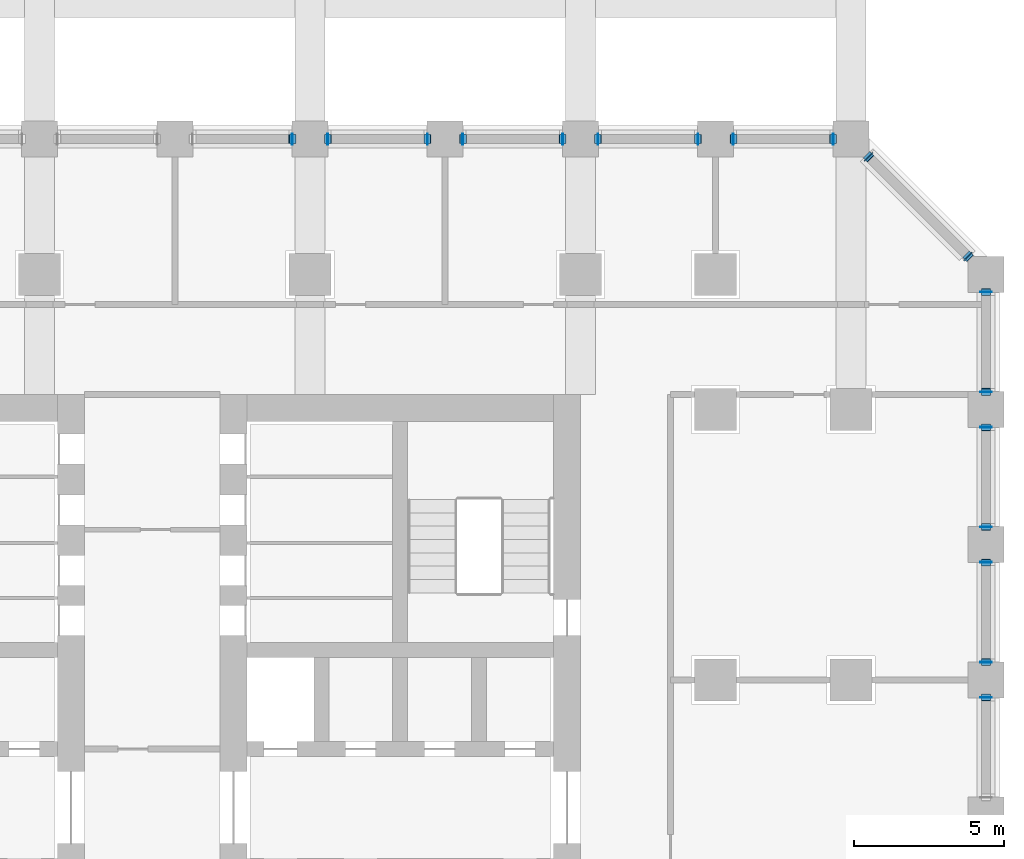
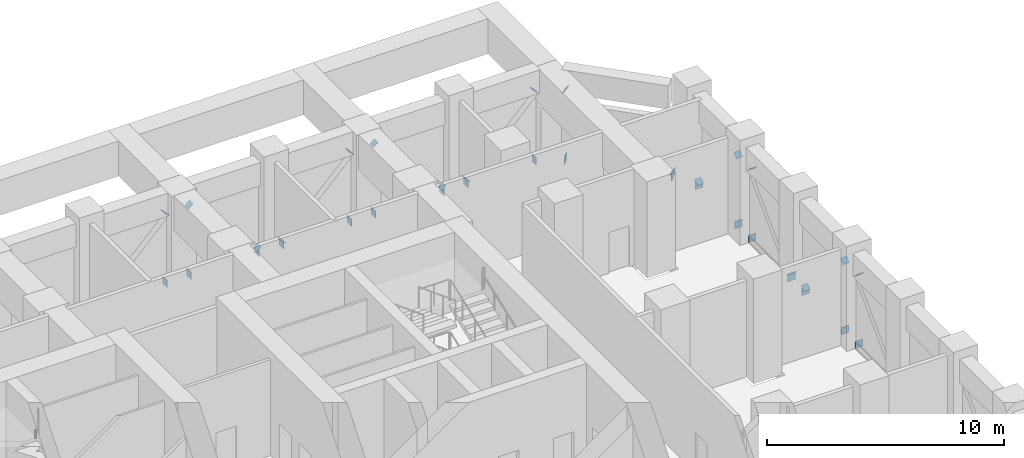
# One storey, part 12 of 20: 36 discrete accessories.
"""IFC4 building model written with IfcOpenShell, lengths in metres."""

from ifc_helpers import new_model, si_unit, direction, frame, origin, origin_2d, place, context, subcontext, project, spatial, rectangle, extrude, material, material_profile, profile_set, type_object, element, save


model = new_model("IFC4")

# Units and contexts
model_context = context("Model", 3, precision=1e-05, world=origin(), true_north=direction((0.0, 1.0)))
body_context = subcontext(model_context, "Body", "Model", "MODEL_VIEW")
ifc_project = project(units=[si_unit("LENGTHUNIT", "METRE"), si_unit("AREAUNIT", "SQUARE_METRE"), si_unit("VOLUMEUNIT", "CUBIC_METRE"), si_unit("PLANEANGLEUNIT", "RADIAN"), si_unit("MASSUNIT", "GRAM", prefix="KILO")], contexts=[model_context])

# Site, building, storey
site_placement = place(None, origin())
site = spatial("IfcSite", under=ifc_project, at=site_placement, CompositionType="ELEMENT")
building_placement = place(site_placement, origin())
building = spatial("IfcBuilding", under=site, at=building_placement, Name="Corbel Stack Research Tower", CompositionType="ELEMENT")
storey_placement = place(building_placement, frame((0.0, 0.0, 76.60009765625)))
storey = spatial("IfcBuildingStorey", under=building, at=storey_placement, Name="L17", CompositionType="ELEMENT", Elevation=76.60009765625)

# Discrete accessories
ifc_material_1 = material(Name="Steel S355", Category="steel")
ifc_material_profile_1 = material_profile(ifc_material_1, rectangle(XDim=0.304931640625, YDim=0.304931640625, at=origin_2d()), Name="End plate 305x305x25")
ifc_profile_set_1 = profile_set([ifc_material_profile_1], Name="Steel S355")
discrete_accessory_type_1 = type_object("IfcDiscreteAccessoryType", Name="End plate 305x305x25", PredefinedType="ANCHORPLATE", material=ifc_profile_set_1)
for number, where, z_axis, x_axis, name in (
    (1, (31.5, 8.39990234375, 3.75), (0.0, 0.702213483406, 0.711966448453), (-1.0, 0.0, 0.0), "Belt truss end plate L17-17d2"),
    (2, (31.5, 12.89990234375, 0.371826171875), (0.0, 0.702213483406, -0.711966448453), (-1.0, 0.0, 0.0), "Belt truss end plate L17-18d1"),
    (3, (31.5, 9.60009765625, 3.75), (0.0, -0.702213483406, 0.711966448453), (1.0, 0.0, 0.0), "Belt truss end plate L17-18d2"),
    (4, (31.5, 14.10009765625, 0.371826171875), (0.0, -0.702213483406, -0.711966448453), (1.0, 0.0, 0.0), "Belt truss end plate L17-19d1"),
    (5, (31.5, 17.39990234375, 3.75), (0.0, 0.702213483406, 0.711966448453), (-1.0, 0.0, 0.0), "Belt truss end plate L17-19d2"),
    (6, (31.5, 21.89990234375, 0.371826171875), (0.0, 0.702213483406, -0.711966448453), (-1.0, 0.0, 0.0), "Belt truss end plate L17-20d1"),
    (7, (31.5, 18.60009765625, 3.75), (0.0, -0.702213483406, 0.711966448453), (1.0, 0.0, 0.0), "Belt truss end plate L17-20d2"),
    (8, (30.89990234375, 23.10009765625, 0.371826171875), (0.574088609441, -0.574088609441, -0.583818924856), (0.707106781187, 0.707106781187, 0.0), "Belt truss end plate L17-21d1"),
    (9, (27.60009765625, 26.39990234375, 3.75), (-0.574088609441, 0.574088609441, 0.583818924856), (-0.707106781187, -0.707106781187, 0.0), "Belt truss end plate L17-21d2"),
    (10, (23.10009765625, 27.0, 0.371826171875), (-0.702213483406, 0.0, -0.711966448453), (0.0, -1.0, 0.0), "Belt truss end plate L17-22d1"),
    (11, (26.39990234375, 27.0, 3.75), (0.702213483406, 0.0, 0.711966448453), (0.0, 1.0, 0.0), "Belt truss end plate L17-22d2"),
    (12, (21.89990234375, 27.0, 0.371826171875), (0.702213483406, 0.0, -0.711966448453), (0.0, 1.0, 0.0), "Belt truss end plate L17-23d1"),
    (13, (18.60009765625, 27.0, 3.75), (-0.702213483406, 0.0, 0.711966448453), (0.0, -1.0, 0.0), "Belt truss end plate L17-23d2"),
    (14, (14.10009765625, 27.0, 0.371826171875), (-0.702213483406, 0.0, -0.711966448453), (0.0, -1.0, 0.0), "Belt truss end plate L17-24d1"),
    (15, (17.39990234375, 27.0, 3.75), (0.702213483406, 0.0, 0.711966448453), (0.0, 1.0, 0.0), "Belt truss end plate L17-24d2"),
    (16, (12.89990234375, 27.0, 0.371826171875), (0.702213483406, 0.0, -0.711966448453), (0.0, 1.0, 0.0), "Belt truss end plate L17-25d1"),
    (17, (9.60009765625, 27.0, 3.75), (-0.702213483406, 0.0, 0.711966448453), (0.0, -1.0, 0.0), "Belt truss end plate L17-25d2"),
    (18, (8.39990234375, 27.0, 3.75), (0.702213483406, 0.0, 0.711966448453), (0.0, 1.0, 0.0), "Belt truss end plate L17-26d2"),
):
    element("IfcDiscreteAccessory", number, at=place(storey_placement, frame(where, z_axis=z_axis, x_axis=x_axis)), inside=storey, type_object=discrete_accessory_type_1, Name=name, PredefinedType="ANCHORPLATE", context=body_context, shape_type="SweptSolid", body=[
        extrude(rectangle(XDim=0.304931640625, YDim=0.304931640625, at=origin_2d()), origin(), (0.0, 0.0, 1.0), 0.025146484375),
    ])
ifc_material_2 = material(Name="Steel S355", Category="steel")
ifc_material_profile_2 = material_profile(ifc_material_2, rectangle(XDim=0.3740234375, YDim=0.3720703125, at=origin_2d()), Name="End plate 374x372x25")
ifc_profile_set_2 = profile_set([ifc_material_profile_2], Name="Steel S355")
discrete_accessory_type_2 = type_object("IfcDiscreteAccessoryType", Name="End plate 374x372x25", PredefinedType="ANCHORPLATE", material=ifc_profile_set_2)
for number, where, z_axis, x_axis, name in (
    (19, (31.5, 8.39990234375, 0.185791015625), (0.0, 1.0, 0.0), (-1.0, 0.0, 0.0), "Belt truss end plate L17-17c2"),
    (20, (31.5, 9.60009765625, 0.185791015625), (0.0, -1.0, 0.0), (1.0, 0.0, 0.0), "Belt truss end plate L17-18c1"),
    (21, (31.5, 12.89990234375, 0.185791015625), (0.0, 1.0, 0.0), (-1.0, 0.0, 0.0), "Belt truss end plate L17-18c2"),
    (22, (31.5, 14.10009765625, 0.185791015625), (0.0, -1.0, 0.0), (1.0, 0.0, 0.0), "Belt truss end plate L17-19c1"),
    (23, (31.5, 17.39990234375, 0.185791015625), (0.0, 1.0, 0.0), (-1.0, 0.0, 0.0), "Belt truss end plate L17-19c2"),
    (24, (31.5, 18.60009765625, 0.185791015625), (0.0, -1.0, 0.0), (1.0, 0.0, 0.0), "Belt truss end plate L17-20c1"),
    (25, (31.5, 21.89990234375, 0.185791015625), (0.0, 1.0, 0.0), (-1.0, 0.0, 0.0), "Belt truss end plate L17-20c2"),
    (26, (30.89990234375, 23.10009765625, 0.185791015625), (0.707106781187, -0.707106781187, 0.0), (0.707106781187, 0.707106781187, 0.0), "Belt truss end plate L17-21c1"),
    (27, (27.60009765625, 26.39990234375, 0.185791015625), (-0.707106781187, 0.707106781187, 0.0), (-0.707106781187, -0.707106781187, 0.0), "Belt truss end plate L17-21c2"),
    (28, (26.39990234375, 27.0, 0.185791015625), (1.0, 0.0, 0.0), (0.0, 1.0, 0.0), "Belt truss end plate L17-22c1"),
    (29, (23.10009765625, 27.0, 0.185791015625), (-1.0, 0.0, 0.0), (0.0, -1.0, 0.0), "Belt truss end plate L17-22c2"),
    (30, (21.89990234375, 27.0, 0.185791015625), (1.0, 0.0, 0.0), (0.0, 1.0, 0.0), "Belt truss end plate L17-23c1"),
    (31, (18.60009765625, 27.0, 0.185791015625), (-1.0, 0.0, 0.0), (0.0, -1.0, 0.0), "Belt truss end plate L17-23c2"),
    (32, (17.39990234375, 27.0, 0.185791015625), (1.0, 0.0, 0.0), (0.0, 1.0, 0.0), "Belt truss end plate L17-24c1"),
    (33, (14.10009765625, 27.0, 0.185791015625), (-1.0, 0.0, 0.0), (0.0, -1.0, 0.0), "Belt truss end plate L17-24c2"),
    (34, (12.89990234375, 27.0, 0.185791015625), (1.0, 0.0, 0.0), (0.0, 1.0, 0.0), "Belt truss end plate L17-25c1"),
    (35, (9.60009765625, 27.0, 0.185791015625), (-1.0, 0.0, 0.0), (0.0, -1.0, 0.0), "Belt truss end plate L17-25c2"),
    (36, (8.39990234375, 27.0, 0.185791015625), (1.0, 0.0, 0.0), (0.0, 1.0, 0.0), "Belt truss end plate L17-26c1"),
):
    element("IfcDiscreteAccessory", number, at=place(storey_placement, frame(where, z_axis=z_axis, x_axis=x_axis)), inside=storey, type_object=discrete_accessory_type_2, Name=name, PredefinedType="ANCHORPLATE", context=body_context, shape_type="SweptSolid", body=[
        extrude(rectangle(XDim=0.3740234375, YDim=0.3720703125, at=origin_2d()), origin(), (0.0, 0.0, 1.0), 0.025146484375),
    ])

save(model, "model.ifc")
